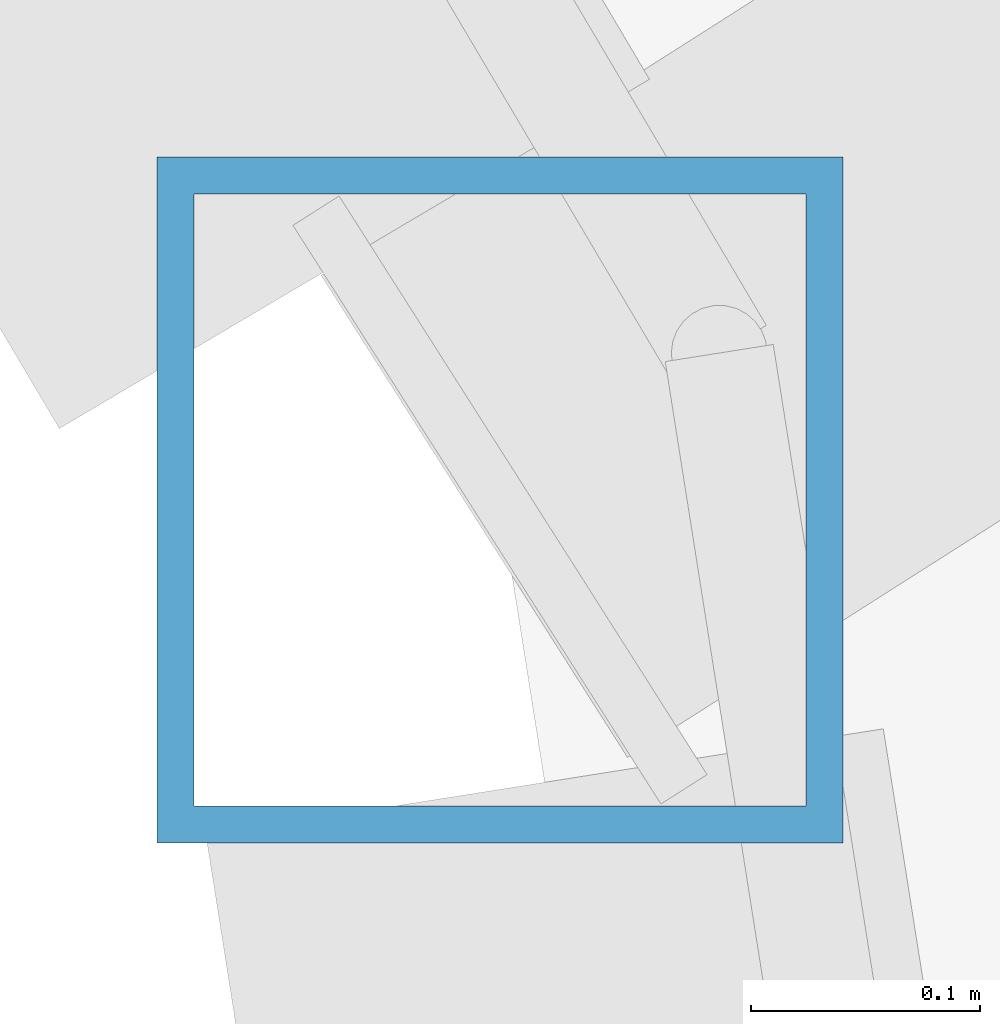
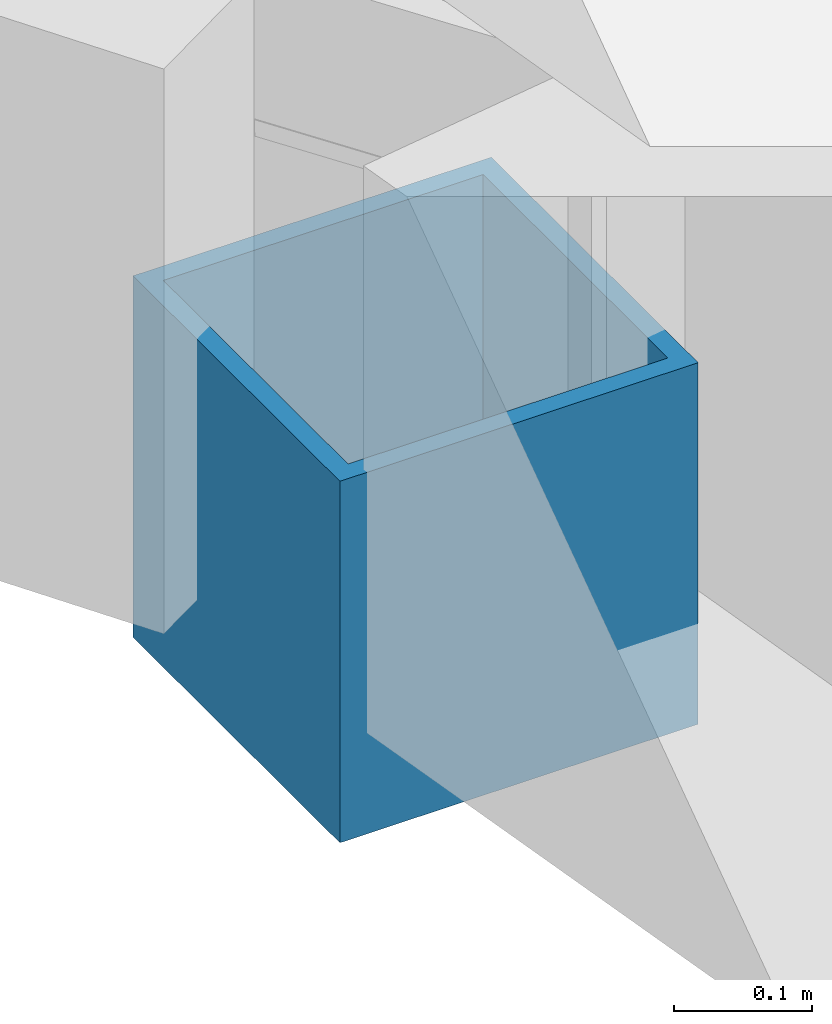
# One storey, part 22 of 77: 1 column.
"""IFC4 building model written with IfcOpenShell, lengths in metres."""

from ifc_helpers import new_model, si_unit, direction, frame, origin, origin_2d, place, context, subcontext, project, spatial, hollow_rectangle, extrude, material, material_profile, profile_set, type_object, element, save


model = new_model("IFC4")

# Units and contexts
model_context = context("Model", 3, precision=1e-05, world=origin(), true_north=direction((0.0, 1.0)))
body_context = subcontext(model_context, "Body", "Model", "MODEL_VIEW")
ifc_project = project(units=[si_unit("LENGTHUNIT", "METRE"), si_unit("AREAUNIT", "SQUARE_METRE"), si_unit("VOLUMEUNIT", "CUBIC_METRE"), si_unit("PLANEANGLEUNIT", "RADIAN"), si_unit("MASSUNIT", "GRAM", prefix="KILO")], contexts=[model_context])

# Site, building, storey
site_placement = place(None, origin())
site = spatial("IfcSite", under=ifc_project, at=site_placement, CompositionType="ELEMENT")
building_placement = place(site_placement, origin())
building = spatial("IfcBuilding", under=site, at=building_placement, Name="Luwafu Chhajja Arena", CompositionType="ELEMENT")
storey_placement = place(building_placement, frame((0.0, 0.0, 14.699951171875)))
storey = spatial("IfcBuildingStorey", under=building, at=storey_placement, Name="L03", CompositionType="ELEMENT", Elevation=14.699951171875)

# Column
ifc_material = material(Name="Steel S355", Category="steel")
ifc_material_profile = material_profile(ifc_material, hollow_rectangle(XDim=0.300048828125, YDim=0.300048828125, WallThickness=0.01611328125, at=origin_2d()), Name="SHS 300x300x16")
ifc_profile_set = profile_set([ifc_material_profile], Name="Steel S355")
column_type = type_object("IfcColumnType", Name="Steel Gallery Post SHS 300", PredefinedType="COLUMN", material=ifc_profile_set)
column_placement = place(storey_placement, frame((128.298583984375, 67.600341796875, 0.0), z_axis=(0.0, 0.0, 1.0), x_axis=(1.0, 0.0, 0.0)))
element("IfcColumn", 1, at=column_placement, inside=storey, type_object=column_type, Name="L03 Upper Raker Front Post 04", PredefinedType="COLUMN", context=body_context, shape_type="SweptSolid", body=[
    extrude(hollow_rectangle(XDim=0.300048828125, YDim=0.300048828125, WallThickness=0.01611328125, at=origin_2d()), origin(), (0.0, 0.0, 1.0), 0.320068359375),
])

save(model, "model.ifc")
